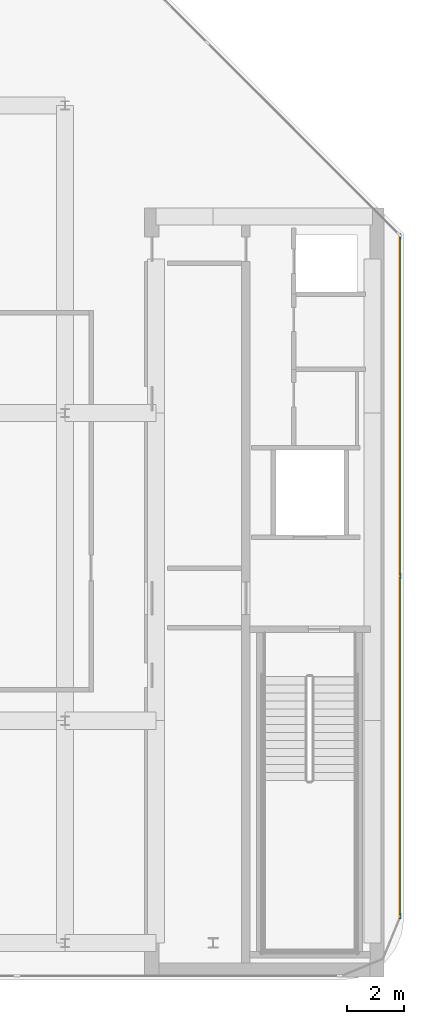
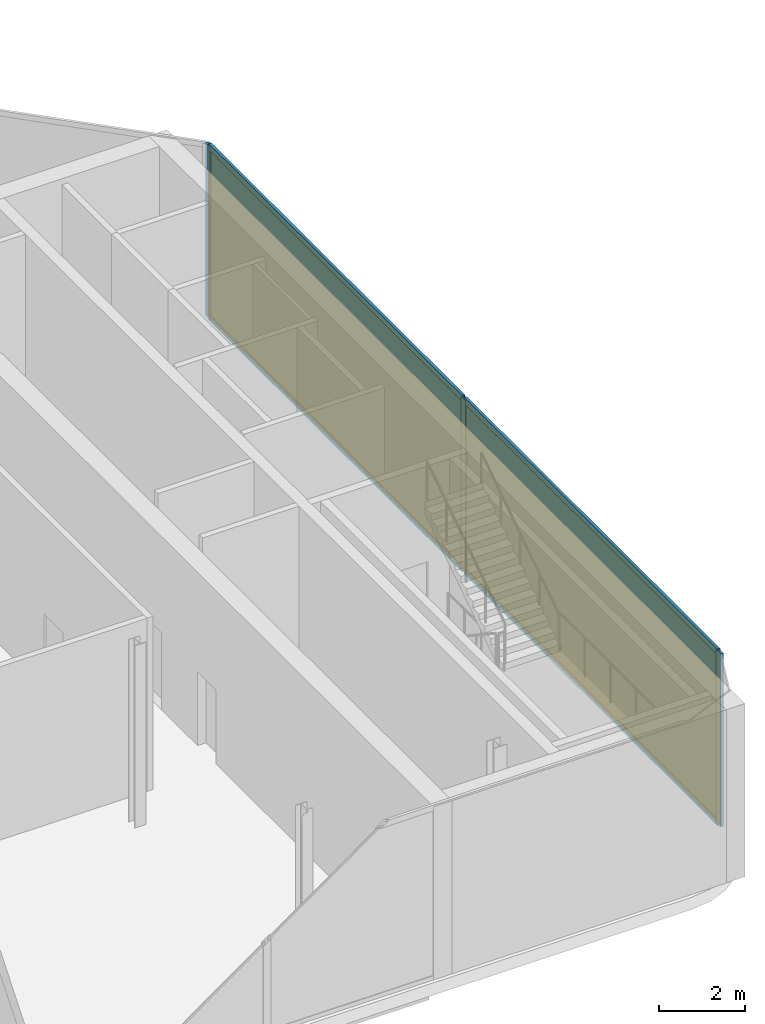
# One storey, part 9 of 14: 7 members, 2 plates, 1 curtain wall.
"""IFC4 building model written with IfcOpenShell, lengths in metres."""

from ifc_helpers import new_model, si_unit, direction, frame, frame_2d, origin, origin_2d, place, context, subcontext, project, spatial, rectangle, extrude, material, layer, layer_set, material_profile, profile_set, type_object, element, aggregate, save


model = new_model("IFC4")

# Units and contexts
model_context = context("Model", 3, precision=1e-05, world=origin(), true_north=direction((0.0, 1.0)))
body_context = subcontext(model_context, "Body", "Model", "MODEL_VIEW")
ifc_project = project(units=[si_unit("LENGTHUNIT", "METRE"), si_unit("AREAUNIT", "SQUARE_METRE"), si_unit("VOLUMEUNIT", "CUBIC_METRE"), si_unit("PLANEANGLEUNIT", "RADIAN"), si_unit("MASSUNIT", "GRAM", prefix="KILO")], contexts=[model_context])

# Member
ifc_material_1 = material(Name="Anodised Bronze Aluminium 6063-T6", Category="aluminium")
ifc_material_profile_1 = material_profile(ifc_material_1, rectangle(XDim=0.074951171875, YDim=0.2099609375, at=origin_2d()))
ifc_profile_set_1 = profile_set([ifc_material_profile_1], Name="Anodised Bronze Aluminium 6063-T6")
member_type_1 = type_object("IfcMemberType", Name="CW-CRN Mullion 75x210", PredefinedType="MULLION", material=ifc_profile_set_1)
site_placement = place(None, origin())
building_placement = place(site_placement, origin())
storey_placement = place(building_placement, frame((0.0, 0.0, 325.199951171875)))
member_1_placement = place(storey_placement, frame((20.9599609375, 6.20458984375, 0.0), z_axis=(0.0, 0.0, 1.0), x_axis=(1.0, 0.0, 0.0)))
member_1 = element("IfcMember", 1, at=member_1_placement, type_object=member_type_1, Name="CW-CRN mullion 1", PredefinedType="MULLION", context=body_context, shape_type="SweptSolid", body=[
    extrude(rectangle(XDim=0.074951171875, YDim=0.2099609375, at=origin_2d()), origin(), (0.0, 0.0, 1.0), 4.93994140625),
])

member_2_placement = place(storey_placement, frame((20.9599609375, -5.724365234375, 0.0), z_axis=(0.0, 0.0, 1.0), x_axis=(1.0, 0.0, 0.0)))
member_2 = element("IfcMember", 2, at=member_2_placement, type_object=member_type_1, Name="CW-CRN mullion 2", PredefinedType="MULLION", context=body_context, shape_type="SweptSolid", body=[
    extrude(rectangle(XDim=0.074951171875, YDim=0.2099609375, at=origin_2d()), origin(), (0.0, 0.0, 1.0), 4.93994140625),
])

member_3_placement = place(storey_placement, frame((20.9599609375, -17.6533203125, 0.0), z_axis=(0.0, 0.0, 1.0), x_axis=(1.0, 0.0, 0.0)))
member_3 = element("IfcMember", 3, at=member_3_placement, type_object=member_type_1, Name="CW-CRN mullion 3", PredefinedType="MULLION", context=body_context, shape_type="SweptSolid", body=[
    extrude(rectangle(XDim=0.074951171875, YDim=0.2099609375, at=origin_2d()), origin(), (0.0, 0.0, 1.0), 4.93994140625),
])

ifc_material_2 = material(Name="Anodised Bronze Aluminium 6063-T6", Category="aluminium")
ifc_material_profile_2 = material_profile(ifc_material_2, rectangle(XDim=0.074951171875, YDim=0.1650390625, at=origin_2d()))
ifc_profile_set_2 = profile_set([ifc_material_profile_2], Name="Anodised Bronze Aluminium 6063-T6")
member_type_2 = type_object("IfcMemberType", Name="CW-CRN Transom 75x165", PredefinedType="USERDEFINED", material=ifc_profile_set_2)
member_4_placement = place(storey_placement, frame((20.9599609375, 6.1669921875, 0.03759765625), z_axis=(0.0, -1.0, 0.0), x_axis=(1.0, 0.0, 0.0)))
member_4 = element("IfcMember", 4, at=member_4_placement, type_object=member_type_2, Name="CW-CRN transom 1.1", ObjectType="TRANSOM", PredefinedType="USERDEFINED", context=body_context, shape_type="SweptSolid", body=[
    extrude(rectangle(XDim=0.074951171875, YDim=0.1650390625, at=origin_2d()), origin(), (0.0, 0.0, 1.0), 11.85400390625),
])

member_5_placement = place(storey_placement, frame((20.9599609375, 6.1669921875, 4.902587890625), z_axis=(0.0, -1.0, 0.0), x_axis=(1.0, 0.0, 0.0)))
member_5 = element("IfcMember", 5, at=member_5_placement, type_object=member_type_2, Name="CW-CRN transom 1.2", ObjectType="TRANSOM", PredefinedType="USERDEFINED", context=body_context, shape_type="SweptSolid", body=[
    extrude(rectangle(XDim=0.074951171875, YDim=0.1650390625, at=origin_2d()), origin(), (0.0, 0.0, 1.0), 11.85400390625),
])

member_6_placement = place(storey_placement, frame((20.9599609375, -5.761962890625, 0.03759765625), z_axis=(0.0, -1.0, 0.0), x_axis=(1.0, 0.0, 0.0)))
member_6 = element("IfcMember", 6, at=member_6_placement, type_object=member_type_2, Name="CW-CRN transom 2.1", ObjectType="TRANSOM", PredefinedType="USERDEFINED", context=body_context, shape_type="SweptSolid", body=[
    extrude(rectangle(XDim=0.074951171875, YDim=0.1650390625, at=origin_2d()), origin(), (0.0, 0.0, 1.0), 11.853759765625),
])

member_7_placement = place(storey_placement, frame((20.9599609375, -5.761962890625, 4.902587890625), z_axis=(0.0, -1.0, 0.0), x_axis=(1.0, 0.0, 0.0)))
member_7 = element("IfcMember", 7, at=member_7_placement, type_object=member_type_2, Name="CW-CRN transom 2.2", ObjectType="TRANSOM", PredefinedType="USERDEFINED", context=body_context, shape_type="SweptSolid", body=[
    extrude(rectangle(XDim=0.074951171875, YDim=0.1650390625, at=origin_2d()), origin(), (0.0, 0.0, 1.0), 11.853759765625),
])

# Plate
ifc_material_3 = material(Name="Low-E Solar Control Laminated Glass", Category="glass")
ifc_layer_1 = layer(ifc_material_3, 0.035888671875, Name="Low-E Solar Control Laminated Glass")
ifc_layer_set_1 = layer_set([ifc_layer_1], Name="Low-E Solar Control Laminated Glass")
plate_type = type_object("IfcPlateType", Name="CW-CRN Low-E Double Glazed Panel 36mm", PredefinedType="CURTAIN_PANEL", material=ifc_layer_set_1)
plate_1_placement = place(storey_placement, frame((20.9599609375, 0.239990234375, 0.074951171875), z_axis=(0.0, 0.0, 1.0), x_axis=(0.0, -1.0, 0.0)))
plate_1 = element("IfcPlate", 8, at=plate_1_placement, type_object=plate_type, Name="CW-CRN panel 1.1", PredefinedType="CURTAIN_PANEL", context=body_context, shape_type="SweptSolid", body=[
    extrude(rectangle(XDim=11.85400390625, YDim=0.035888671875, at=origin_2d()), origin(), (0.0, 0.0, 1.0), 4.7900390625),
])

plate_2_placement = place(storey_placement, frame((20.9599609375, -11.68896484375, 0.074951171875), z_axis=(0.0, 0.0, 1.0), x_axis=(0.0, -1.0, 0.0)))
plate_2 = element("IfcPlate", 9, at=plate_2_placement, type_object=plate_type, Name="CW-CRN panel 2.1", PredefinedType="CURTAIN_PANEL", context=body_context, shape_type="SweptSolid", body=[
    extrude(rectangle(XDim=11.85400390625, YDim=0.035888671875, at=origin_2d()), origin(), (0.0, 0.0, 1.0), 4.7900390625),
])

# Site, building, storey
site = spatial("IfcSite", under=ifc_project, at=site_placement, CompositionType="ELEMENT")
building = spatial("IfcBuilding", under=site, at=building_placement, Name="Khairoan Windgate Tower", CompositionType="ELEMENT")
storey = spatial("IfcBuildingStorey", under=building, at=storey_placement, Name="L78", CompositionType="ELEMENT", Elevation=325.199951171875)

# Curtain wall
ifc_material_4 = material(Name="Anodised Bronze Aluminium 6063-T6", Category="aluminium")
ifc_layer_2 = layer(ifc_material_4, 0.2099609375, Name="Anodised Bronze Aluminium 6063-T6")
ifc_layer_set_2 = layer_set([ifc_layer_2], Name="Anodised Bronze Aluminium 6063-T6")
curtain_wall_type = type_object("IfcCurtainWallType", Name="Crown Observation and Vitrine Curtain Wall CW-CRN", PredefinedType="NOTDEFINED", material=ifc_layer_set_2)
curtain_wall_placement = place(storey_placement, frame((20.9599609375, 6.241943359375, 0.0), z_axis=(0.0, 0.0, 1.0), x_axis=(0.0, -1.0, 0.0)))
curtain_wall = element("IfcCurtainWall", 10, at=curtain_wall_placement, inside=storey, type_object=curtain_wall_type, Name="L78 Unitised Curtain Wall 8", PredefinedType="NOTDEFINED", context=body_context, shape_type="SweptSolid", body=[
    extrude(rectangle(XDim=23.932861328125, YDim=0.010009765625, at=frame_2d((11.96630859375, 0.0))), origin(), (0.0, 0.0, 1.0), 4.93994140625),
])

aggregate(curtain_wall, [member_1, member_2, member_3, member_4, member_5, plate_1, member_6, member_7, plate_2])

save(model, "model.ifc")
